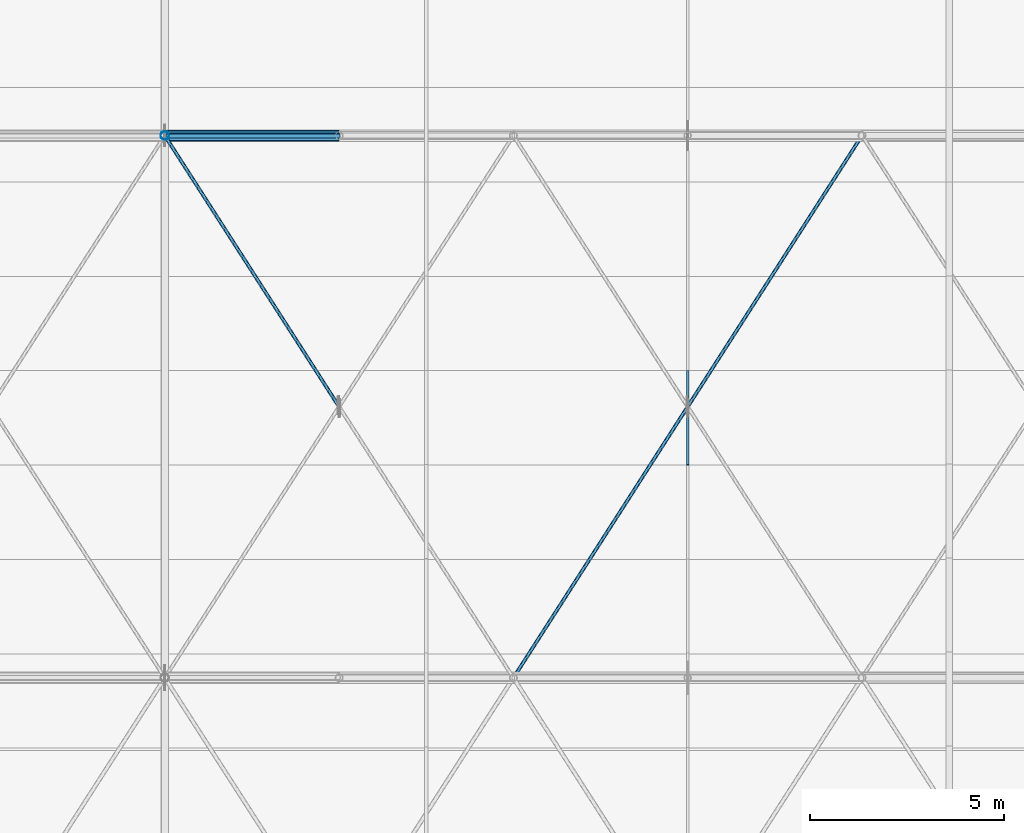
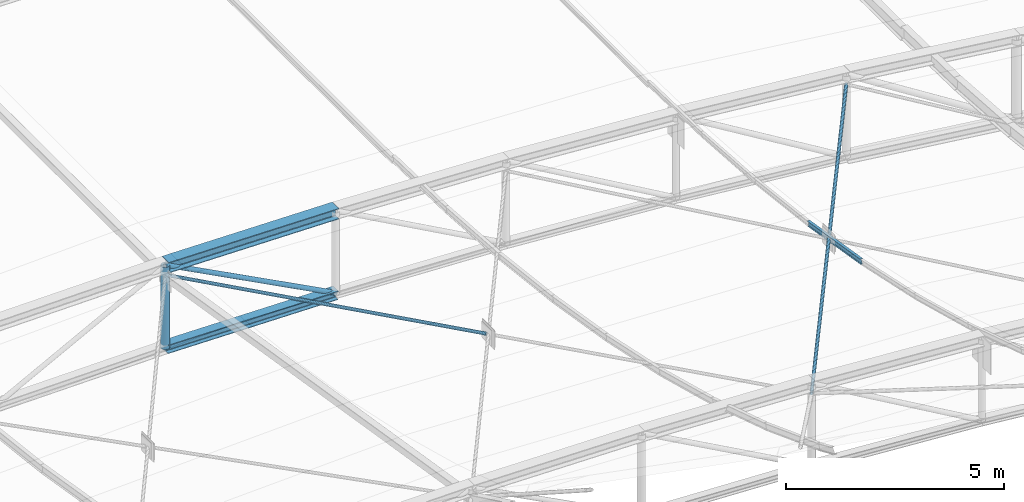
# One storey, part 155 of 262: 7 members.
"""IFC4 building model written with IfcOpenShell, lengths in metres."""

from ifc_helpers import new_model, si_unit, derived_unit, direction, frame, origin, origin_2d, place, context, subcontext, project, spatial, hollow_circle, i_section, extrude, material, material_profile, profile_set, type_object, element, save


model = new_model("IFC4")

# Units and contexts
model_context = context("Model", 3, precision=1e-05, world=origin(), true_north=direction((0.0, 1.0)))
body_context = subcontext(model_context, "Body", "Model", "MODEL_VIEW")
ifc_project = project(units=[si_unit("LENGTHUNIT", "METRE"), si_unit("AREAUNIT", "SQUARE_METRE"), si_unit("VOLUMEUNIT", "CUBIC_METRE"), si_unit("PLANEANGLEUNIT", "RADIAN"), si_unit("MASSUNIT", "GRAM", prefix="KILO"), derived_unit("THERMALTRANSMITTANCEUNIT", [(si_unit("POWERUNIT", "WATT"), 1), (si_unit("LENGTHUNIT", "METRE"), -2), (si_unit("THERMODYNAMICTEMPERATUREUNIT", "KELVIN"), -1)])], contexts=[model_context])

# Site, building, storey
site_placement = place(None, origin())
site = spatial("IfcSite", under=ifc_project, at=site_placement, CompositionType="ELEMENT")
building_placement = place(site_placement, origin())
building = spatial("IfcBuilding", under=site, at=building_placement, Name="Almenara Railside Exhibition Hall", CompositionType="ELEMENT")
storey_placement = place(building_placement, frame((0.0, 0.0, 21.699951171875)))
storey = spatial("IfcBuildingStorey", under=building, at=storey_placement, Name="RF", CompositionType="ELEMENT", Elevation=21.699951171875)

# Members
ifc_material = material(Name="Structural steel S355JR", Category="steel")
ifc_material_profile_1 = material_profile(ifc_material, i_section(OverallWidth=0.239990234375, OverallDepth=0.239990234375, WebThickness=0.010009765625, FlangeThickness=0.01708984375, FilletRadius=0.02099609375, at=origin_2d()), Name="HEB 240")
ifc_profile_set_1 = profile_set([ifc_material_profile_1], Name="Structural steel S355JR")
member_type_1 = type_object("IfcMemberType", Name="Arched Crown Bottom Chord HEB 240 S355JR", PredefinedType="CHORD", material=ifc_profile_set_1)
member_1_placement = place(storey_placement, frame((165.0, 62.0, -7.38525390625), z_axis=(0.999908030213, 0.0, -0.013562120635), x_axis=(0.0, 1.0, 0.0)))
element("IfcMember", 1, at=member_1_placement, inside=storey, type_object=member_type_1, Name="MEM-BC-V2-02-06", PredefinedType="CHORD", context=body_context, shape_type="SweptSolid", body=[
    extrude(i_section(OverallWidth=0.239990234375, OverallDepth=0.239990234375, WebThickness=0.010009765625, FlangeThickness=0.01708984375, FilletRadius=0.02099609375, at=origin_2d()), origin(), (0.0, 0.0, 1.0), 4.50048828125),
])
ifc_material_profile_2 = material_profile(ifc_material, i_section(OverallWidth=0.300048828125, OverallDepth=0.300048828125, WebThickness=0.010986328125, FlangeThickness=0.01904296875, FilletRadius=0.027099609375, at=origin_2d()), Name="HEB 300")
ifc_profile_set_2 = profile_set([ifc_material_profile_2], Name="Structural steel S355JR")
member_type_2 = type_object("IfcMemberType", Name="Arched Inner Top Chord HEB 300 S355JR", PredefinedType="CHORD", material=ifc_profile_set_2)
member_2_placement = place(storey_placement, frame((165.0, 62.0, -5.085205078125), z_axis=(0.999908030213, 0.0, -0.013562120635), x_axis=(0.0, 1.0, 0.0)))
element("IfcMember", 2, at=member_2_placement, inside=storey, type_object=member_type_2, Name="MEM-TC-V2-02-06", PredefinedType="CHORD", context=body_context, shape_type="SweptSolid", body=[
    extrude(i_section(OverallWidth=0.300048828125, OverallDepth=0.300048828125, WebThickness=0.010986328125, FlangeThickness=0.01904296875, FilletRadius=0.027099609375, at=origin_2d()), origin(), (0.0, 0.0, 1.0), 4.50048828125),
])
ifc_material_profile_3 = material_profile(ifc_material, i_section(OverallWidth=0.072998046875, OverallDepth=0.139892578125, WebThickness=0.004638671875, FlangeThickness=0.0068359375, FilletRadius=0.007080078125, at=origin_2d()), Name="IPE 140")
ifc_profile_set_3 = profile_set([ifc_material_profile_3], Name="Structural steel S355JR")
member_type_3 = type_object("IfcMemberType", Name="Canopy Edge Purlin IPE 140 S355JR", PredefinedType="PURLIN", material=ifc_profile_set_3)
member_3_placement = place(storey_placement, frame((178.5, 53.49365234375, -4.562744140625), z_axis=(0.0, 0.986449960692, -0.164062412058), x_axis=(-1.0, 0.0, 0.0)))
element("IfcMember", 3, at=member_3_placement, inside=storey, type_object=member_type_3, Name="MEM-PR-V2-PR-IPE140-06-08", PredefinedType="PURLIN", context=body_context, shape_type="SweptSolid", body=[
    extrude(i_section(OverallWidth=0.072998046875, OverallDepth=0.139892578125, WebThickness=0.004638671875, FlangeThickness=0.0068359375, FilletRadius=0.007080078125, at=origin_2d()), origin(), (0.0, 0.0, 1.0), 2.47021484375),
])
ifc_material_profile_4 = material_profile(ifc_material, hollow_circle(Radius=0.04443359375, WallThickness=0.00390625, at=origin_2d()), Name="CHS 88.9x4")
ifc_profile_set_4 = profile_set([ifc_material_profile_4], Name="Structural steel S355JR")
member_type_4 = type_object("IfcMemberType", Name="Canopy Tie Brace CHS 88.9x4 S355JR", PredefinedType="BRACE", material=ifc_profile_set_4)
member_4_placement = place(storey_placement, frame((169.47412109375, 55.04052734375, -4.35888671875), z_axis=(-0.536816035855, 0.835014619562, -0.120744063069), x_axis=(-0.84116888765, -0.540772505264, 0.0)))
element("IfcMember", 4, at=member_4_placement, inside=storey, type_object=member_type_4, Name="MEM-WB-V2-WB-CHS89-01-06-S2", PredefinedType="BRACE", context=body_context, shape_type="SweptSolid", body=[
    extrude(hollow_circle(Radius=0.04443359375, WallThickness=0.00390625, at=origin_2d()), origin(), (0.0, 0.0, 1.0), 8.33447265625),
])
member_5_placement = place(storey_placement, frame((174.0, 48.0, -3.3408203125), z_axis=(0.532168886483, 0.827818267863, -0.177519552872), x_axis=(-0.841178475377, 0.540757591313, 0.0)))
element("IfcMember", 5, at=member_5_placement, inside=storey, type_object=member_type_4, Name="MEM-WB-V2-WB-CHS89-01-08-C", PredefinedType="BRACE", context=body_context, shape_type="SweptSolid", body=[
    extrude(hollow_circle(Radius=0.04443359375, WallThickness=0.00390625, at=origin_2d()), origin(), (0.0, 0.0, 1.0), 16.911865234375),
])
ifc_material_profile_5 = material_profile(ifc_material, hollow_circle(Radius=0.0634765625, WallThickness=0.00439453125, at=origin_2d()), Name="CHS 127.0x4.5")
ifc_profile_set_5 = profile_set([ifc_material_profile_5], Name="Structural steel S355JR")
member_type_5 = type_object("IfcMemberType", Name="Truss Crown Diagonal CHS 127.0x4.5 S355JR", PredefinedType="BRACE", material=ifc_profile_set_5)
member_6_placement = place(storey_placement, frame((165.0, 62.0, -5.085205078125), z_axis=(0.885512555589, 0.0, -0.464615447326), x_axis=(0.0, 1.0, 0.0)))
element("IfcMember", 6, at=member_6_placement, inside=storey, type_object=member_type_5, Name="MEM-TD-V2-02-06", PredefinedType="BRACE", context=body_context, shape_type="SweptSolid", body=[
    extrude(hollow_circle(Radius=0.0634765625, WallThickness=0.00439453125, at=origin_2d()), origin(), (0.0, 0.0, 1.0), 5.081787109375),
])
ifc_material_profile_6 = material_profile(ifc_material, hollow_circle(Radius=0.109619140625, WallThickness=0.008056640625, at=origin_2d()), Name="CHS 219.1x8")
ifc_profile_set_6 = profile_set([ifc_material_profile_6], Name="Structural steel S355JR")
member_type_6 = type_object("IfcMemberType", Name="Truss Primary Vertical Strut CHS 219.1x8 S355JR", PredefinedType="BRACE", material=ifc_profile_set_6)
member_7_placement = place(storey_placement, frame((165.0, 62.0, -7.38525390625), z_axis=(0.0, 0.0, 1.0), x_axis=(1.0, 0.0, 0.0)))
element("IfcMember", 7, at=member_7_placement, inside=storey, type_object=member_type_6, Name="MEM-TV-V2-02-06", PredefinedType="BRACE", context=body_context, shape_type="SweptSolid", body=[
    extrude(hollow_circle(Radius=0.109619140625, WallThickness=0.008056640625, at=origin_2d()), origin(), (0.0, 0.0, 1.0), 2.300048828125),
])

save(model, "model.ifc")
